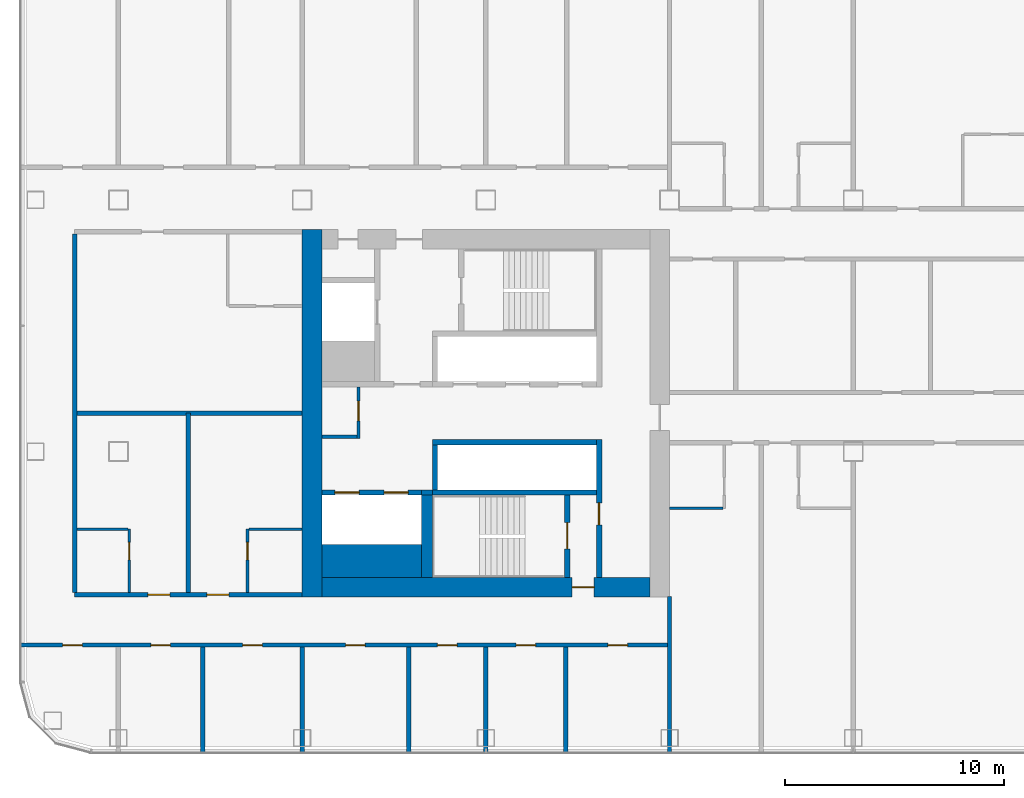
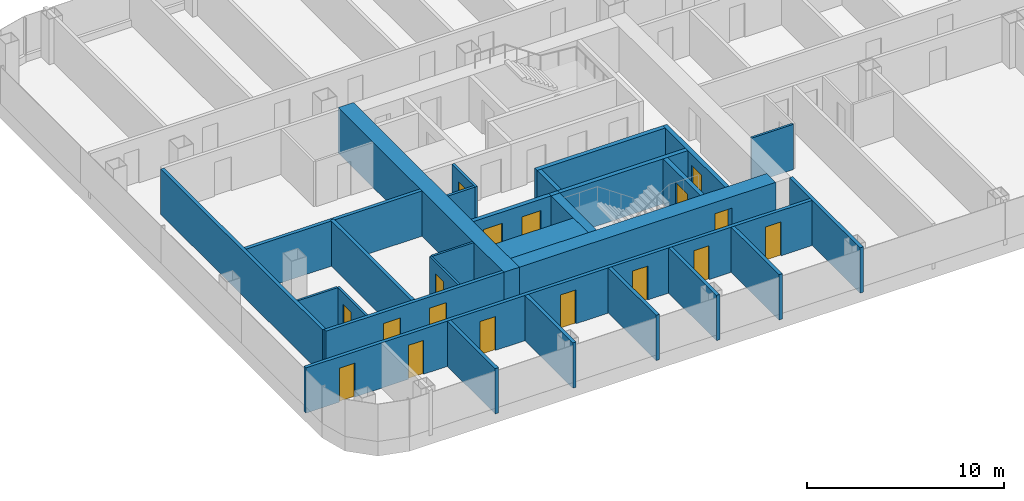
# One storey, part 15 of 29: 29 walls, 17 doors, 17 openings.
"""IFC4 building model written with IfcOpenShell, lengths in metres."""

from ifc_helpers import new_model, si_unit, direction, frame, frame_2d, origin, place, context, subcontext, project, spatial, rectangle, extrude, material, layer, layer_set, type_object, element, fill, save


model = new_model("IFC4")

# Units and contexts
model_context = context("Model", 3, precision=1e-05, world=origin(), true_north=direction((0.0, 1.0)))
body_context = subcontext(model_context, "Body", "Model", "MODEL_VIEW")
ifc_project = project(units=[si_unit("LENGTHUNIT", "METRE"), si_unit("AREAUNIT", "SQUARE_METRE"), si_unit("VOLUMEUNIT", "CUBIC_METRE"), si_unit("PLANEANGLEUNIT", "RADIAN"), si_unit("MASSUNIT", "GRAM", prefix="KILO")], contexts=[model_context])

# Site, building, storey
site_placement = place(None, origin())
site = spatial("IfcSite", under=ifc_project, at=site_placement, CompositionType="ELEMENT")
building_placement = place(site_placement, origin())
building = spatial("IfcBuilding", under=site, at=building_placement, Name="Hakoniwa Tower and Hamabe Station Hall", CompositionType="ELEMENT")
storey_placement = place(building_placement, frame((0.0, 0.0, 85.0)))
storey = spatial("IfcBuildingStorey", under=building, at=storey_placement, Name="L23", CompositionType="ELEMENT", Elevation=85.0)

# Walls
ifc_material_1 = material(Name="Gypsum board partition", Category="gypsum")
ifc_layer_1 = layer(ifc_material_1, 0.125)
ifc_layer_set_1 = layer_set([ifc_layer_1], Name="Bathroom Partition 125")
wall_type_1 = type_object("IfcWallType", Name="Bathroom Partition 125", PredefinedType="PARTITIONING", material=ifc_layer_set_1)
wall_1_placement = place(storey_placement, frame((-43.89990234375, -5.300048828125, 0.0), z_axis=(0.0, 0.0, 1.0), x_axis=(1.0, 0.0, 0.0)))
element("IfcWall", 1, at=wall_1_placement, inside=storey, type_object=wall_type_1, Name="GW-L23-005", PredefinedType="PARTITIONING", context=body_context, shape_type="SweptSolid", body=[
    extrude(rectangle(XDim=2.33740234375, YDim=0.125, at=frame_2d((1.168701171875, 0.0))), origin(), (0.0, 0.0, 1.0), 2.800048828125),
])
wall_2_placement = place(storey_placement, frame((-36.03759765625, -5.300048828125, 0.0), z_axis=(0.0, 0.0, 1.0), x_axis=(1.0, 0.0, 0.0)))
element("IfcWall", 2, at=wall_2_placement, inside=storey, type_object=wall_type_1, Name="GW-L23-006", PredefinedType="PARTITIONING", context=body_context, shape_type="SweptSolid", body=[
    extrude(rectangle(XDim=2.4375, YDim=0.125, at=frame_2d((1.21875, 0.0))), origin(), (0.0, 0.0, 1.0), 2.800048828125),
])
wall_3_placement = place(storey_placement, frame((-16.81005859375, -4.35009765625, 0.0), z_axis=(0.0, 0.0, 1.0), x_axis=(1.0, 0.0, 0.0)))
element("IfcWall", 3, at=wall_3_placement, inside=storey, type_object=wall_type_1, Name="GW-L23-010", PredefinedType="PARTITIONING", context=body_context, shape_type="SweptSolid", body=[
    extrude(rectangle(XDim=2.447509765625, YDim=0.125, at=frame_2d((1.2236328125, 0.0))), origin(), (0.0, 0.0, 1.0), 2.800048828125),
])

# Wall, opening, door
wall_4_placement = place(storey_placement, frame((-41.5, -8.199951171875, 0.0), z_axis=(0.0, 0.0, 1.0), x_axis=(0.0, 1.0, 0.0)))
wall_4 = element("IfcWall", 4, at=wall_4_placement, inside=storey, type_object=wall_type_1, Name="GW-L23-035", PredefinedType="PARTITIONING", context=body_context, shape_type="SweptSolid", body=[
    extrude(rectangle(XDim=2.89990234375, YDim=0.125, at=frame_2d((1.449951171875, 0.0))), origin(), (0.0, 0.0, 1.0), 2.800048828125),
])
opening_1_placement = place(wall_4_placement, frame((1.5, 0.0, 0.0)))
opening_1 = element("IfcOpeningElement", 5, at=opening_1_placement, cuts=wall_4, Name="Opening GD-G2D0-57", PredefinedType="OPENING", context=body_context, shape_type="SweptSolid", body=[
    extrude(rectangle(XDim=0.800048828125, YDim=2.10009765625, at=frame_2d((0.39990234375, 1.050048828125))), frame((0.0, 0.072509765625, 0.0), z_axis=(0.0, -1.0, 0.0), x_axis=(1.0, 0.0, 0.0)), (0.0, 0.0, 1.0), 0.14501953125),
])
ifc_material_2 = material(Name="Timber door leaf", Category="wood")
door_type_1 = type_object("IfcDoorType", Name="Bathroom Door 800", OperationType="SINGLE_SWING_LEFT", PredefinedType="DOOR", material=ifc_material_2)
door_1_placement = place(opening_1_placement, origin())
door_1 = element("IfcDoor", 6, at=door_1_placement, inside=storey, type_object=door_type_1, Name="Door GD-G2D0-57", OperationType="SINGLE_SWING_LEFT", OverallHeight=2.10009765625, OverallWidth=0.800048828125, PredefinedType="DOOR", context=body_context, shape_type="SweptSolid", body=[
    extrude(rectangle(XDim=0.800048828125, YDim=2.10009765625, at=frame_2d((0.39990234375, 1.050048828125))), frame((0.0, 0.02490234375, 0.0), z_axis=(0.0, -1.0, 0.0), x_axis=(1.0, 0.0, 0.0)), (0.0, 0.0, 1.0), 0.050048828125),
])
fill(opening_1, door_1)

wall_5_placement = place(storey_placement, frame((-36.10009765625, -8.199951171875, 0.0), z_axis=(0.0, 0.0, 1.0), x_axis=(0.0, 1.0, 0.0)))
wall_5 = element("IfcWall", 7, at=wall_5_placement, inside=storey, type_object=wall_type_1, Name="GW-L23-040", PredefinedType="PARTITIONING", context=body_context, shape_type="SweptSolid", body=[
    extrude(rectangle(XDim=2.89990234375, YDim=0.125, at=frame_2d((1.449951171875, 0.0))), origin(), (0.0, 0.0, 1.0), 2.800048828125),
])
opening_2_placement = place(wall_5_placement, frame((1.5, 0.0, 0.0)))
opening_2 = element("IfcOpeningElement", 8, at=opening_2_placement, cuts=wall_5, Name="Opening GD-G2D0-58", PredefinedType="OPENING", context=body_context, shape_type="SweptSolid", body=[
    extrude(rectangle(XDim=0.800048828125, YDim=2.10009765625, at=frame_2d((0.39990234375, 1.050048828125))), frame((0.0, 0.072509765625, 0.0), z_axis=(0.0, -1.0, 0.0), x_axis=(1.0, 0.0, 0.0)), (0.0, 0.0, 1.0), 0.14501953125),
])
door_2_placement = place(opening_2_placement, origin())
door_2 = element("IfcDoor", 9, at=door_2_placement, inside=storey, type_object=door_type_1, Name="Door GD-G2D0-58", OperationType="SINGLE_SWING_RIGHT", OverallHeight=2.10009765625, OverallWidth=0.800048828125, PredefinedType="DOOR", context=body_context, shape_type="SweptSolid", body=[
    extrude(rectangle(XDim=0.800048828125, YDim=2.10009765625, at=frame_2d((0.39990234375, 1.050048828125))), frame((0.0, 0.02490234375, 0.0), z_axis=(0.0, -1.0, 0.0), x_axis=(1.0, 0.0, 0.0)), (0.0, 0.0, 1.0), 0.050048828125),
])
fill(opening_2, door_2)

ifc_material_3 = material(Name="Gypsum board partition")
ifc_layer_2 = layer(ifc_material_3, 0.14990234375)
ifc_layer_set_2 = layer_set([ifc_layer_2], Name="CORE PARTITION 150 EI 60")
wall_type_2 = type_object("IfcWallType", Name="CORE PARTITION 150 EI 60", PredefinedType="PARTITIONING", material=ifc_layer_set_2)
wall_6_placement = place(storey_placement, frame((-31.02490234375, -1.14990234375, 0.0), z_axis=(0.0, 0.0, 1.0), x_axis=(0.0, 1.0, 0.0)))
wall_6 = element("IfcWall", 10, at=wall_6_placement, inside=storey, type_object=wall_type_2, Name="Core partition PW0 west", PredefinedType="PARTITIONING", context=body_context, shape_type="SweptSolid", body=[
    extrude(rectangle(XDim=2.349853515625, YDim=0.14990234375, at=frame_2d((1.1748046875, 0.0))), origin(), (0.0, 0.0, 1.0), 2.800048828125),
])
opening_3_placement = place(wall_6_placement, frame((0.800048828125, 0.0, 0.0)))
opening_3 = element("IfcOpeningElement", 11, at=opening_3_placement, cuts=wall_6, Name="Opening CD-W-RM1-9", PredefinedType="OPENING", context=body_context, shape_type="SweptSolid", body=[
    extrude(rectangle(XDim=0.89990234375, YDim=2.10009765625, at=frame_2d((0.449951171875, 1.050048828125))), frame((0.0, 0.0849609375, 0.0), z_axis=(0.0, -1.0, 0.0), x_axis=(1.0, 0.0, 0.0)), (0.0, 0.0, 1.0), 0.169921875),
])
ifc_material_4 = material(Name="Steel fire door", Category="steel")
door_type_2 = type_object("IfcDoorType", Name="CORE DOOR 900 FD30", OperationType="NOTDEFINED", PredefinedType="DOOR", material=ifc_material_4)
door_3_placement = place(opening_3_placement, origin())
door_3 = element("IfcDoor", 12, at=door_3_placement, inside=storey, type_object=door_type_2, Name="Store room door", OperationType="SINGLE_SWING_LEFT", OverallHeight=2.10009765625, OverallWidth=0.89990234375, PredefinedType="DOOR", context=body_context, shape_type="SweptSolid", body=[
    extrude(rectangle(XDim=0.89990234375, YDim=2.10009765625, at=frame_2d((0.449951171875, 1.050048828125))), frame((0.0, 0.02490234375, 0.0), z_axis=(0.0, -1.0, 0.0), x_axis=(1.0, 0.0, 0.0)), (0.0, 0.0, 1.0), 0.050048828125),
])
fill(opening_3, door_3)

# Walls
wall_7_placement = place(storey_placement, frame((-32.699951171875, -1.074951171875, 0.0), z_axis=(0.0, 0.0, 1.0), x_axis=(1.0, 0.0, 0.0)))
element("IfcWall", 13, at=wall_7_placement, inside=storey, type_object=wall_type_2, Name="Core partition PS west", PredefinedType="PARTITIONING", context=body_context, shape_type="SweptSolid", body=[
    extrude(rectangle(XDim=1.599853515625, YDim=0.14990234375, at=frame_2d((0.7998046875, 0.0))), origin(), (0.0, 0.0, 1.0), 2.800048828125),
])
ifc_material_5 = material(Name="Concrete C72", Category="concrete")
ifc_layer_3 = layer(ifc_material_5, 0.89990234375)
ifc_layer_set_3 = layer_set([ifc_layer_3], Name="CORE WALL 900 C72")
wall_type_3 = type_object("IfcWallType", Name="CORE WALL 900 C72", PredefinedType="SHEAR", material=ifc_layer_set_3)
wall_8_placement = place(storey_placement, frame((-33.14990234375, -8.39990234375, 0.0), z_axis=(0.0, 0.0, 1.0), x_axis=(0.0, 1.0, 0.0)))
element("IfcWall", 14, at=wall_8_placement, inside=storey, type_object=wall_type_3, Name="Core wall OUTER west", PredefinedType="SHEAR", context=body_context, shape_type="SweptSolid", body=[
    extrude(rectangle(XDim=16.7998046875, YDim=0.89990234375, at=frame_2d((8.39990234375, 0.0))), origin(), (0.0, 0.0, 1.0), 2.800048828125),
])

# Wall, opening, door
wall_9_placement = place(storey_placement, frame((-32.699951171875, -7.949951171875, 0.0), z_axis=(0.0, 0.0, 1.0), x_axis=(1.0, 0.0, 0.0)))
wall_9 = element("IfcWall", 15, at=wall_9_placement, inside=storey, type_object=wall_type_3, Name="Core wall SOUTH west", PredefinedType="SHEAR", context=body_context, shape_type="SweptSolid", body=[
    extrude(rectangle(XDim=15.0, YDim=0.89990234375, at=frame_2d((7.5, 0.0))), origin(), (0.0, 0.0, 1.0), 2.800048828125),
])
opening_4_placement = place(wall_9_placement, frame((11.449951171875, 0.0, 0.0)))
opening_4 = element("IfcOpeningElement", 16, at=opening_4_placement, cuts=wall_9, Name="Opening CD-W-FS3-10", PredefinedType="OPENING", context=body_context, shape_type="SweptSolid", body=[
    extrude(rectangle(XDim=1.0, YDim=2.10009765625, at=frame_2d((0.5, 1.050048828125))), frame((0.0, 0.4599609375, 0.0), z_axis=(0.0, -1.0, 0.0), x_axis=(1.0, 0.0, 0.0)), (0.0, 0.0, 1.0), 0.919921875),
])
ifc_material_6 = material(Name="Steel fire door", Category="steel")
door_type_3 = type_object("IfcDoorType", Name="CORE DOOR 1000 FD60", OperationType="NOTDEFINED", PredefinedType="DOOR", material=ifc_material_6)
door_4_placement = place(opening_4_placement, origin())
door_4 = element("IfcDoor", 17, at=door_4_placement, inside=storey, type_object=door_type_3, Name="Stair vestibule door", OperationType="SINGLE_SWING_LEFT", OverallHeight=2.10009765625, OverallWidth=1.0, PredefinedType="DOOR", context=body_context, shape_type="SweptSolid", body=[
    extrude(rectangle(XDim=1.0, YDim=2.10009765625, at=frame_2d((0.5, 1.050048828125))), frame((0.0, 0.02490234375, 0.0), z_axis=(0.0, -1.0, 0.0), x_axis=(1.0, 0.0, 0.0)), (0.0, 0.0, 1.0), 0.050048828125),
])
fill(opening_4, door_4)

# Wall
ifc_material_7 = material(Name="Concrete C72", Category="concrete")
ifc_layer_4 = layer(ifc_material_7, 1.5)
ifc_layer_set_4 = layer_set([ifc_layer_4], Name="CORE WEB WALL 1500 C72")
wall_type_4 = type_object("IfcWallType", Name="CORE WEB WALL 1500 C72", PredefinedType="SHEAR", material=ifc_layer_set_4)
wall_10_placement = place(storey_placement, frame((-32.699951171875, -6.75, 0.0), z_axis=(0.0, 0.0, 1.0), x_axis=(1.0, 0.0, 0.0)))
element("IfcWall", 18, at=wall_10_placement, inside=storey, type_object=wall_type_4, Name="Core wall SER west", PredefinedType="SHEAR", context=body_context, shape_type="SweptSolid", body=[
    extrude(rectangle(XDim=4.550048828125, YDim=1.5, at=frame_2d((2.27490234375, 0.0))), origin(), (0.0, 0.0, 1.0), 2.800048828125),
])

# Wall, opening, door
ifc_material_8 = material(Name="Concrete C72", Category="concrete")
ifc_layer_5 = layer(ifc_material_8, 0.25)
ifc_layer_set_5 = layer_set([ifc_layer_5], Name="CORE WEB WALL 250 C72")
wall_type_5 = type_object("IfcWallType", Name="CORE WEB WALL 250 C72", PredefinedType="SHEAR", material=ifc_layer_set_5)
wall_11_placement = place(storey_placement, frame((-20.02490234375, -7.5, 0.0), z_axis=(0.0, 0.0, 1.0), x_axis=(0.0, 1.0, 0.0)))
wall_11 = element("IfcWall", 19, at=wall_11_placement, inside=storey, type_object=wall_type_5, Name="Core wall W1S west", PredefinedType="SHEAR", context=body_context, shape_type="SweptSolid", body=[
    extrude(rectangle(XDim=6.300048828125, YDim=0.25, at=frame_2d((3.14990234375, 0.0))), origin(), (0.0, 0.0, 1.0), 2.800048828125),
])
opening_5_placement = place(wall_11_placement, frame((2.39990234375, 0.0, 0.0)))
opening_5 = element("IfcOpeningElement", 20, at=opening_5_placement, cuts=wall_11, Name="Opening CD-W-VS-10", PredefinedType="OPENING", context=body_context, shape_type="SweptSolid", body=[
    extrude(rectangle(XDim=1.0, YDim=2.10009765625, at=frame_2d((0.5, 1.050048828125))), frame((0.0, 0.135009765625, 0.0), z_axis=(0.0, -1.0, 0.0), x_axis=(1.0, 0.0, 0.0)), (0.0, 0.0, 1.0), 0.27001953125),
])
door_5_placement = place(opening_5_placement, origin())
door_5 = element("IfcDoor", 21, at=door_5_placement, inside=storey, type_object=door_type_3, Name="Stair vestibule door", OperationType="SINGLE_SWING_LEFT", OverallHeight=2.10009765625, OverallWidth=1.0, PredefinedType="DOOR", context=body_context, shape_type="SweptSolid", body=[
    extrude(rectangle(XDim=1.0, YDim=2.10009765625, at=frame_2d((0.5, 1.050048828125))), frame((0.0, 0.02490234375, 0.0), z_axis=(0.0, -1.0, 0.0), x_axis=(1.0, 0.0, 0.0)), (0.0, 0.0, 1.0), 0.050048828125),
])
fill(opening_5, door_5)

# Walls
wall_12_placement = place(storey_placement, frame((-27.64990234375, -1.324951171875, 0.0), z_axis=(0.0, 0.0, 1.0), x_axis=(1.0, 0.0, 0.0)))
element("IfcWall", 22, at=wall_12_placement, inside=storey, type_object=wall_type_5, Name="Core wall SF west", PredefinedType="SHEAR", context=body_context, shape_type="SweptSolid", body=[
    extrude(rectangle(XDim=7.5, YDim=0.25, at=frame_2d((3.75, 0.0))), origin(), (0.0, 0.0, 1.0), 2.800048828125),
])
wall_13_placement = place(storey_placement, frame((-27.52490234375, -3.5, 0.0), z_axis=(0.0, 0.0, 1.0), x_axis=(0.0, 1.0, 0.0)))
element("IfcWall", 23, at=wall_13_placement, inside=storey, type_object=wall_type_5, Name="Core wall SE west", PredefinedType="SHEAR", context=body_context, shape_type="SweptSolid", body=[
    extrude(rectangle(XDim=2.050048828125, YDim=0.25, at=frame_2d((1.02490234375, 0.0))), origin(), (0.0, 0.0, 1.0), 2.800048828125),
])
wall_14_placement = place(storey_placement, frame((-27.64990234375, -3.625, 0.0), z_axis=(0.0, 0.0, 1.0), x_axis=(1.0, 0.0, 0.0)))
element("IfcWall", 24, at=wall_14_placement, inside=storey, type_object=wall_type_5, Name="Core wall SR west", PredefinedType="SHEAR", context=body_context, shape_type="SweptSolid", body=[
    extrude(rectangle(XDim=7.5, YDim=0.25, at=frame_2d((3.75, 0.0))), origin(), (0.0, 0.0, 1.0), 2.800048828125),
])

# Wall, opening, door
wall_15_placement = place(storey_placement, frame((-21.47509765625, -7.5, 0.0), z_axis=(0.0, 0.0, 1.0), x_axis=(0.0, 1.0, 0.0)))
wall_15 = element("IfcWall", 25, at=wall_15_placement, inside=storey, type_object=wall_type_5, Name="Core wall VE west", PredefinedType="SHEAR", context=body_context, shape_type="SweptSolid", body=[
    extrude(rectangle(XDim=3.75, YDim=0.25, at=frame_2d((1.875, 0.0))), origin(), (0.0, 0.0, 1.0), 2.800048828125),
])
opening_6_placement = place(wall_15_placement, frame((1.300048828125, 0.0, 0.0)))
opening_6 = element("IfcOpeningElement", 26, at=opening_6_placement, cuts=wall_15, Name="Opening CD-W-SS-12", PredefinedType="OPENING", context=body_context, shape_type="SweptSolid", body=[
    extrude(rectangle(XDim=1.199951171875, YDim=2.10009765625, at=frame_2d((0.60009765625, 1.050048828125))), frame((0.0, 0.135009765625, 0.0), z_axis=(0.0, -1.0, 0.0), x_axis=(1.0, 0.0, 0.0)), (0.0, 0.0, 1.0), 0.27001953125),
])
ifc_material_9 = material(Name="Steel fire door", Category="steel")
door_type_4 = type_object("IfcDoorType", Name="CORE DOOR 1200 FD60", OperationType="DOUBLE_DOOR_SINGLE_SWING", PredefinedType="DOOR", material=ifc_material_9)
door_6_placement = place(opening_6_placement, origin())
door_6 = element("IfcDoor", 27, at=door_6_placement, inside=storey, type_object=door_type_4, Name="Escape stair door", OperationType="DOUBLE_DOOR_SINGLE_SWING", OverallHeight=2.10009765625, OverallWidth=1.199951171875, PredefinedType="DOOR", context=body_context, shape_type="SweptSolid", body=[
    extrude(rectangle(XDim=1.199951171875, YDim=2.10009765625, at=frame_2d((0.60009765625, 1.050048828125))), frame((0.0, 0.02490234375, 0.0), z_axis=(0.0, -1.0, 0.0), x_axis=(1.0, 0.0, 0.0)), (0.0, 0.0, 1.0), 0.050048828125),
])
fill(opening_6, door_6)

# Wall, openings, doors
wall_16_placement = place(storey_placement, frame((-32.699951171875, -3.625, 0.0), z_axis=(0.0, 0.0, 1.0), x_axis=(1.0, 0.0, 0.0)))
wall_16 = element("IfcWall", 28, at=wall_16_placement, inside=storey, type_object=wall_type_5, Name="Core wall SEF west", PredefinedType="SHEAR", context=body_context, shape_type="SweptSolid", body=[
    extrude(rectangle(XDim=4.550048828125, YDim=0.25, at=frame_2d((2.27490234375, 0.0))), origin(), (0.0, 0.0, 1.0), 2.800048828125),
])
opening_7_placement = place(wall_16_placement, frame((2.85009765625, 0.0, 0.0)))
opening_7 = element("IfcOpeningElement", 29, at=opening_7_placement, cuts=wall_16, Name="Opening LD-SV1", PredefinedType="OPENING", context=body_context, shape_type="SweptSolid", body=[
    extrude(rectangle(XDim=1.10009765625, YDim=2.10009765625, at=frame_2d((0.550048828125, 1.050048828125))), frame((0.0, 0.135009765625, 0.0), z_axis=(0.0, -1.0, 0.0), x_axis=(1.0, 0.0, 0.0)), (0.0, 0.0, 1.0), 0.27001953125),
])
opening_8_placement = place(wall_16_placement, frame((0.60009765625, 0.0, 0.0)))
opening_8 = element("IfcOpeningElement", 30, at=opening_8_placement, cuts=wall_16, Name="Opening LD-SV2", PredefinedType="OPENING", context=body_context, shape_type="SweptSolid", body=[
    extrude(rectangle(XDim=1.10009765625, YDim=2.10009765625, at=frame_2d((0.550048828125, 1.050048828125))), frame((0.0, 0.135009765625, 0.0), z_axis=(0.0, -1.0, 0.0), x_axis=(1.0, 0.0, 0.0)), (0.0, 0.0, 1.0), 0.27001953125),
])
ifc_material_10 = material(Name="Stainless steel SUS304", Category="steel")
door_type_5 = type_object("IfcDoorType", Name="LIFT LANDING DOOR 1100 FD60", OperationType="DOUBLE_DOOR_SLIDING", PredefinedType="DOOR", material=ifc_material_10)
door_7_placement = place(opening_7_placement, origin())
door_7 = element("IfcDoor", 31, at=door_7_placement, inside=storey, type_object=door_type_5, Name="Lift landing door SV1 L23", OperationType="DOUBLE_DOOR_SLIDING", OverallHeight=2.10009765625, OverallWidth=1.10009765625, PredefinedType="DOOR", context=body_context, shape_type="SweptSolid", body=[
    extrude(rectangle(XDim=1.10009765625, YDim=2.10009765625, at=frame_2d((0.550048828125, 1.050048828125))), frame((0.0, 0.02490234375, 0.0), z_axis=(0.0, -1.0, 0.0), x_axis=(1.0, 0.0, 0.0)), (0.0, 0.0, 1.0), 0.050048828125),
])
fill(opening_7, door_7)
door_8_placement = place(opening_8_placement, origin())
door_8 = element("IfcDoor", 32, at=door_8_placement, inside=storey, type_object=door_type_5, Name="Lift landing door SV2 L23", OperationType="DOUBLE_DOOR_SLIDING", OverallHeight=2.10009765625, OverallWidth=1.10009765625, PredefinedType="DOOR", context=body_context, shape_type="SweptSolid", body=[
    extrude(rectangle(XDim=1.10009765625, YDim=2.10009765625, at=frame_2d((0.550048828125, 1.050048828125))), frame((0.0, 0.02490234375, 0.0), z_axis=(0.0, -1.0, 0.0), x_axis=(1.0, 0.0, 0.0)), (0.0, 0.0, 1.0), 0.050048828125),
])
fill(opening_8, door_8)

# Walls
wall_17_placement = place(storey_placement, frame((-28.14990234375, -3.625, 0.0), z_axis=(0.0, 0.0, 1.0), x_axis=(1.0, 0.0, 0.0)))
element("IfcWall", 33, at=wall_17_placement, inside=storey, type_object=wall_type_5, Name="Core wall SRK west", PredefinedType="SHEAR", context=body_context, shape_type="SweptSolid", body=[
    extrude(rectangle(XDim=0.5, YDim=0.25, at=frame_2d((0.25, 0.0))), origin(), (0.0, 0.0, 1.0), 2.800048828125),
])
ifc_material_11 = material(Name="Concrete C72", Category="concrete")
ifc_layer_6 = layer(ifc_material_11, 0.5)
ifc_layer_set_6 = layer_set([ifc_layer_6], Name="CORE WEB WALL 500 C72")
wall_type_6 = type_object("IfcWallType", Name="CORE WEB WALL 500 C72", PredefinedType="SHEAR", material=ifc_layer_set_6)
wall_18_placement = place(storey_placement, frame((-27.89990234375, -7.5, 0.0), z_axis=(0.0, 0.0, 1.0), x_axis=(0.0, 1.0, 0.0)))
element("IfcWall", 34, at=wall_18_placement, inside=storey, type_object=wall_type_6, Name="Core wall SSE west", PredefinedType="SHEAR", context=body_context, shape_type="SweptSolid", body=[
    extrude(rectangle(XDim=3.75, YDim=0.5, at=frame_2d((1.875, 0.0))), origin(), (0.0, 0.0, 1.0), 2.800048828125),
])

# Wall, openings, doors
ifc_material_12 = material(Name="Fire-rated gypsum board partition", Category="gypsum")
ifc_layer_7 = layer(ifc_material_12, 0.199951171875)
ifc_layer_set_7 = layer_set([ifc_layer_7], Name="Corridor Wall 200")
wall_type_7 = type_object("IfcWallType", Name="Corridor Wall 200", PredefinedType="PARTITIONING", material=ifc_layer_set_7)
wall_19_placement = place(storey_placement, frame((-46.5, -10.60009765625, 0.0), z_axis=(0.0, 0.0, 1.0), x_axis=(1.0, 0.0, 0.0)))
wall_19 = element("IfcWall", 35, at=wall_19_placement, inside=storey, type_object=wall_type_7, Name="GW-L23-001", PredefinedType="PARTITIONING", context=body_context, shape_type="SweptSolid", body=[
    extrude(rectangle(XDim=29.699951171875, YDim=0.199951171875, at=frame_2d((14.85009765625, 0.0))), origin(), (0.0, 0.0, 1.0), 2.800048828125),
])
opening_9_placement = place(wall_19_placement, frame((1.949951171875, 0.0, 0.0)))
opening_9 = element("IfcOpeningElement", 36, at=opening_9_placement, cuts=wall_19, Name="Opening GD-G2D0-01", PredefinedType="OPENING", context=body_context, shape_type="SweptSolid", body=[
    extrude(rectangle(XDim=0.89990234375, YDim=2.10009765625, at=frame_2d((0.449951171875, 1.050048828125))), frame((0.0, 0.10986328125, 0.0), z_axis=(0.0, -1.0, 0.0), x_axis=(1.0, 0.0, 0.0)), (0.0, 0.0, 1.0), 0.219970703125),
])
opening_10_placement = place(wall_19_placement, frame((5.97998046875, 0.0, 0.0)))
opening_10 = element("IfcOpeningElement", 37, at=opening_10_placement, cuts=wall_19, Name="Opening GD-G2D0-02", PredefinedType="OPENING", context=body_context, shape_type="SweptSolid", body=[
    extrude(rectangle(XDim=0.89990234375, YDim=2.10009765625, at=frame_2d((0.449951171875, 1.050048828125))), frame((0.0, 0.10986328125, 0.0), z_axis=(0.0, -1.0, 0.0), x_axis=(1.0, 0.0, 0.0)), (0.0, 0.0, 1.0), 0.219970703125),
])
opening_11_placement = place(wall_19_placement, frame((10.179931640625, 0.0, 0.0)))
opening_11 = element("IfcOpeningElement", 38, at=opening_11_placement, cuts=wall_19, Name="Opening GD-G2D0-03", PredefinedType="OPENING", context=body_context, shape_type="SweptSolid", body=[
    extrude(rectangle(XDim=0.89990234375, YDim=2.10009765625, at=frame_2d((0.449951171875, 1.050048828125))), frame((0.0, 0.10986328125, 0.0), z_axis=(0.0, -1.0, 0.0), x_axis=(1.0, 0.0, 0.0)), (0.0, 0.0, 1.0), 0.219970703125),
])
opening_12_placement = place(wall_19_placement, frame((14.885009765625, 0.0, 0.0)))
opening_12 = element("IfcOpeningElement", 39, at=opening_12_placement, cuts=wall_19, Name="Opening GD-G2D0-04", PredefinedType="OPENING", context=body_context, shape_type="SweptSolid", body=[
    extrude(rectangle(XDim=0.89990234375, YDim=2.10009765625, at=frame_2d((0.449951171875, 1.050048828125))), frame((0.0, 0.10986328125, 0.0), z_axis=(0.0, -1.0, 0.0), x_axis=(1.0, 0.0, 0.0)), (0.0, 0.0, 1.0), 0.219970703125),
])
opening_13_placement = place(wall_19_placement, frame((19.0849609375, 0.0, 0.0)))
opening_13 = element("IfcOpeningElement", 40, at=opening_13_placement, cuts=wall_19, Name="Opening GD-G2D0-05", PredefinedType="OPENING", context=body_context, shape_type="SweptSolid", body=[
    extrude(rectangle(XDim=0.89990234375, YDim=2.10009765625, at=frame_2d((0.449951171875, 1.050048828125))), frame((0.0, 0.10986328125, 0.0), z_axis=(0.0, -1.0, 0.0), x_axis=(1.0, 0.0, 0.0)), (0.0, 0.0, 1.0), 0.219970703125),
])
opening_14_placement = place(wall_19_placement, frame((22.679931640625, 0.0, 0.0)))
opening_14 = element("IfcOpeningElement", 41, at=opening_14_placement, cuts=wall_19, Name="Opening GD-G2D0-06", PredefinedType="OPENING", context=body_context, shape_type="SweptSolid", body=[
    extrude(rectangle(XDim=0.89990234375, YDim=2.10009765625, at=frame_2d((0.449951171875, 1.050048828125))), frame((0.0, 0.10986328125, 0.0), z_axis=(0.0, -1.0, 0.0), x_axis=(1.0, 0.0, 0.0)), (0.0, 0.0, 1.0), 0.219970703125),
])
opening_15_placement = place(wall_19_placement, frame((26.8798828125, 0.0, 0.0)))
opening_15 = element("IfcOpeningElement", 42, at=opening_15_placement, cuts=wall_19, Name="Opening GD-G2D0-07", PredefinedType="OPENING", context=body_context, shape_type="SweptSolid", body=[
    extrude(rectangle(XDim=0.89990234375, YDim=2.10009765625, at=frame_2d((0.449951171875, 1.050048828125))), frame((0.0, 0.10986328125, 0.0), z_axis=(0.0, -1.0, 0.0), x_axis=(1.0, 0.0, 0.0)), (0.0, 0.0, 1.0), 0.219970703125),
])
ifc_material_13 = material(Name="Timber door leaf", Category="wood")
door_type_6 = type_object("IfcDoorType", Name="Service Door 900", OperationType="SINGLE_SWING_LEFT", PredefinedType="DOOR", material=ifc_material_13)
door_9_placement = place(opening_9_placement, origin())
door_9 = element("IfcDoor", 43, at=door_9_placement, inside=storey, type_object=door_type_6, Name="Door GD-G2D0-01", OperationType="SINGLE_SWING_RIGHT", OverallHeight=2.10009765625, OverallWidth=0.89990234375, PredefinedType="DOOR", context=body_context, shape_type="SweptSolid", body=[
    extrude(rectangle(XDim=0.89990234375, YDim=2.10009765625, at=frame_2d((0.449951171875, 1.050048828125))), frame((0.0, 0.02490234375, 0.0), z_axis=(0.0, -1.0, 0.0), x_axis=(1.0, 0.0, 0.0)), (0.0, 0.0, 1.0), 0.050048828125),
])
fill(opening_9, door_9)
door_10_placement = place(opening_10_placement, origin())
door_10 = element("IfcDoor", 44, at=door_10_placement, inside=storey, type_object=door_type_6, Name="Door GD-G2D0-02", OperationType="SINGLE_SWING_RIGHT", OverallHeight=2.10009765625, OverallWidth=0.89990234375, PredefinedType="DOOR", context=body_context, shape_type="SweptSolid", body=[
    extrude(rectangle(XDim=0.89990234375, YDim=2.10009765625, at=frame_2d((0.449951171875, 1.050048828125))), frame((0.0, 0.02490234375, 0.0), z_axis=(0.0, -1.0, 0.0), x_axis=(1.0, 0.0, 0.0)), (0.0, 0.0, 1.0), 0.050048828125),
])
fill(opening_10, door_10)
door_11_placement = place(opening_11_placement, origin())
door_11 = element("IfcDoor", 45, at=door_11_placement, inside=storey, type_object=door_type_6, Name="Door GD-G2D0-03", OperationType="SINGLE_SWING_LEFT", OverallHeight=2.10009765625, OverallWidth=0.89990234375, PredefinedType="DOOR", context=body_context, shape_type="SweptSolid", body=[
    extrude(rectangle(XDim=0.89990234375, YDim=2.10009765625, at=frame_2d((0.449951171875, 1.050048828125))), frame((0.0, 0.02490234375, 0.0), z_axis=(0.0, -1.0, 0.0), x_axis=(1.0, 0.0, 0.0)), (0.0, 0.0, 1.0), 0.050048828125),
])
fill(opening_11, door_11)
door_12_placement = place(opening_12_placement, origin())
door_12 = element("IfcDoor", 46, at=door_12_placement, inside=storey, type_object=door_type_6, Name="Door GD-G2D0-04", OperationType="SINGLE_SWING_RIGHT", OverallHeight=2.10009765625, OverallWidth=0.89990234375, PredefinedType="DOOR", context=body_context, shape_type="SweptSolid", body=[
    extrude(rectangle(XDim=0.89990234375, YDim=2.10009765625, at=frame_2d((0.449951171875, 1.050048828125))), frame((0.0, 0.02490234375, 0.0), z_axis=(0.0, -1.0, 0.0), x_axis=(1.0, 0.0, 0.0)), (0.0, 0.0, 1.0), 0.050048828125),
])
fill(opening_12, door_12)
door_13_placement = place(opening_13_placement, origin())
door_13 = element("IfcDoor", 47, at=door_13_placement, inside=storey, type_object=door_type_6, Name="Door GD-G2D0-05", OperationType="SINGLE_SWING_LEFT", OverallHeight=2.10009765625, OverallWidth=0.89990234375, PredefinedType="DOOR", context=body_context, shape_type="SweptSolid", body=[
    extrude(rectangle(XDim=0.89990234375, YDim=2.10009765625, at=frame_2d((0.449951171875, 1.050048828125))), frame((0.0, 0.02490234375, 0.0), z_axis=(0.0, -1.0, 0.0), x_axis=(1.0, 0.0, 0.0)), (0.0, 0.0, 1.0), 0.050048828125),
])
fill(opening_13, door_13)
door_14_placement = place(opening_14_placement, origin())
door_14 = element("IfcDoor", 48, at=door_14_placement, inside=storey, type_object=door_type_6, Name="Door GD-G2D0-06", OperationType="SINGLE_SWING_RIGHT", OverallHeight=2.10009765625, OverallWidth=0.89990234375, PredefinedType="DOOR", context=body_context, shape_type="SweptSolid", body=[
    extrude(rectangle(XDim=0.89990234375, YDim=2.10009765625, at=frame_2d((0.449951171875, 1.050048828125))), frame((0.0, 0.02490234375, 0.0), z_axis=(0.0, -1.0, 0.0), x_axis=(1.0, 0.0, 0.0)), (0.0, 0.0, 1.0), 0.050048828125),
])
fill(opening_14, door_14)
door_15_placement = place(opening_15_placement, origin())
door_15 = element("IfcDoor", 49, at=door_15_placement, inside=storey, type_object=door_type_6, Name="Door GD-G2D0-07", OperationType="SINGLE_SWING_LEFT", OverallHeight=2.10009765625, OverallWidth=0.89990234375, PredefinedType="DOOR", context=body_context, shape_type="SweptSolid", body=[
    extrude(rectangle(XDim=0.89990234375, YDim=2.10009765625, at=frame_2d((0.449951171875, 1.050048828125))), frame((0.0, 0.02490234375, 0.0), z_axis=(0.0, -1.0, 0.0), x_axis=(1.0, 0.0, 0.0)), (0.0, 0.0, 1.0), 0.050048828125),
])
fill(opening_15, door_15)

wall_20_placement = place(storey_placement, frame((-44.0, -8.300048828125, 0.0), z_axis=(0.0, 0.0, 1.0), x_axis=(1.0, 0.0, 0.0)))
wall_20 = element("IfcWall", 50, at=wall_20_placement, inside=storey, type_object=wall_type_7, Name="GW-L23-003", PredefinedType="PARTITIONING", context=body_context, shape_type="SweptSolid", body=[
    extrude(rectangle(XDim=10.39990234375, YDim=0.199951171875, at=frame_2d((5.199951171875, 0.0))), origin(), (0.0, 0.0, 1.0), 2.800048828125),
])
opening_16_placement = place(wall_20_placement, frame((3.35009765625, 0.0, 0.0)))
opening_16 = element("IfcOpeningElement", 51, at=opening_16_placement, cuts=wall_20, Name="Opening GD-G2D0-15", PredefinedType="OPENING", context=body_context, shape_type="SweptSolid", body=[
    extrude(rectangle(XDim=1.0, YDim=2.10009765625, at=frame_2d((0.5, 1.050048828125))), frame((0.0, 0.10986328125, 0.0), z_axis=(0.0, -1.0, 0.0), x_axis=(1.0, 0.0, 0.0)), (0.0, 0.0, 1.0), 0.219970703125),
])
opening_17_placement = place(wall_20_placement, frame((6.050048828125, 0.0, 0.0)))
opening_17 = element("IfcOpeningElement", 52, at=opening_17_placement, cuts=wall_20, Name="Opening GD-G2D0-16", PredefinedType="OPENING", context=body_context, shape_type="SweptSolid", body=[
    extrude(rectangle(XDim=1.0, YDim=2.10009765625, at=frame_2d((0.5, 1.050048828125))), frame((0.0, 0.10986328125, 0.0), z_axis=(0.0, -1.0, 0.0), x_axis=(1.0, 0.0, 0.0)), (0.0, 0.0, 1.0), 0.219970703125),
])
ifc_material_14 = material(Name="Timber door leaf", Category="wood")
door_type_7 = type_object("IfcDoorType", Name="Guest Entrance Door 1000", OperationType="SINGLE_SWING_LEFT", PredefinedType="DOOR", material=ifc_material_14)
door_16_placement = place(opening_16_placement, origin())
door_16 = element("IfcDoor", 53, at=door_16_placement, inside=storey, type_object=door_type_7, Name="Door GD-G2D0-15", OperationType="SINGLE_SWING_LEFT", OverallHeight=2.10009765625, OverallWidth=1.0, PredefinedType="DOOR", context=body_context, shape_type="SweptSolid", body=[
    extrude(rectangle(XDim=1.0, YDim=2.10009765625, at=frame_2d((0.5, 1.050048828125))), frame((0.0, 0.02490234375, 0.0), z_axis=(0.0, -1.0, 0.0), x_axis=(1.0, 0.0, 0.0)), (0.0, 0.0, 1.0), 0.050048828125),
])
fill(opening_16, door_16)
door_17_placement = place(opening_17_placement, origin())
door_17 = element("IfcDoor", 54, at=door_17_placement, inside=storey, type_object=door_type_7, Name="Door GD-G2D0-16", OperationType="SINGLE_SWING_RIGHT", OverallHeight=2.10009765625, OverallWidth=1.0, PredefinedType="DOOR", context=body_context, shape_type="SweptSolid", body=[
    extrude(rectangle(XDim=1.0, YDim=2.10009765625, at=frame_2d((0.5, 1.050048828125))), frame((0.0, 0.02490234375, 0.0), z_axis=(0.0, -1.0, 0.0), x_axis=(1.0, 0.0, 0.0)), (0.0, 0.0, 1.0), 0.050048828125),
])
fill(opening_17, door_17)

# Walls
ifc_material_15 = material(Name="Fire-rated gypsum board partition", Category="gypsum")
ifc_layer_8 = layer(ifc_material_15, 0.199951171875)
ifc_layer_set_8 = layer_set([ifc_layer_8], Name="Party Wall 200")
wall_type_8 = type_object("IfcWallType", Name="Party Wall 200", PredefinedType="PARTITIONING", material=ifc_layer_set_8)
wall_21_placement = place(storey_placement, frame((-43.89990234375, 0.0, 0.0), z_axis=(0.0, 0.0, 1.0), x_axis=(1.0, 0.0, 0.0)))
element("IfcWall", 55, at=wall_21_placement, inside=storey, type_object=wall_type_8, Name="GW-L23-015", PredefinedType="PARTITIONING", context=body_context, shape_type="SweptSolid", body=[
    extrude(rectangle(XDim=10.2998046875, YDim=0.199951171875, at=frame_2d((5.14990234375, 0.0))), origin(), (0.0, 0.0, 1.0), 2.800048828125),
])
wall_22_placement = place(storey_placement, frame((-44.0, -8.199951171875, 0.0), z_axis=(0.0, 0.0, 1.0), x_axis=(0.0, 1.0, 0.0)))
element("IfcWall", 56, at=wall_22_placement, inside=storey, type_object=wall_type_8, Name="GW-L23-032", PredefinedType="PARTITIONING", context=body_context, shape_type="SweptSolid", body=[
    extrude(rectangle(XDim=16.39990234375, YDim=0.199951171875, at=frame_2d((8.199951171875, 0.0))), origin(), (0.0, 0.0, 1.0), 2.800048828125),
])
wall_23_placement = place(storey_placement, frame((-38.800048828125, -8.199951171875, 0.0), z_axis=(0.0, 0.0, 1.0), x_axis=(0.0, 1.0, 0.0)))
element("IfcWall", 57, at=wall_23_placement, inside=storey, type_object=wall_type_8, Name="GW-L23-036", PredefinedType="PARTITIONING", context=body_context, shape_type="SweptSolid", body=[
    extrude(rectangle(XDim=8.199951171875, YDim=0.199951171875, at=frame_2d((4.10009765625, 0.0))), origin(), (0.0, 0.0, 1.0), 2.800048828125),
])
for number, where, z_axis, x_axis, name in (
    (58, (-38.139892578125, -15.550048828125, 0.0), (0.0, 0.0, 1.0), (0.0, 1.0, 0.0), "GW-L23-037"),
    (59, (-33.60009765625, -15.550048828125, 0.0), (0.0, 0.0, 1.0), (0.0, 1.0, 0.0), "GW-L23-041"),
    (60, (-28.72998046875, -15.550048828125, 0.0), (0.0, 0.0, 1.0), (0.0, 1.0, 0.0), "GW-L23-043"),
    (61, (-25.199951171875, -15.550048828125, 0.0), (0.0, 0.0, 1.0), (0.0, 1.0, 0.0), "GW-L23-045"),
    (62, (-21.5400390625, -15.550048828125, 0.0), (0.0, 0.0, 1.0), (0.0, 1.0, 0.0), "GW-L23-047"),
):
    element("IfcWall", number, at=place(storey_placement, frame(where, z_axis=z_axis, x_axis=x_axis)), inside=storey, type_object=wall_type_8, Name=name, PredefinedType="PARTITIONING", context=body_context, shape_type="SweptSolid", body=[
        extrude(rectangle(XDim=4.85009765625, YDim=0.199951171875, at=frame_2d((2.425048828125, 0.0))), origin(), (0.0, 0.0, 1.0), 2.800048828125),
    ])
wall_24_placement = place(storey_placement, frame((-16.800048828125, -15.550048828125, 0.0), z_axis=(0.0, 0.0, 1.0), x_axis=(0.0, 1.0, 0.0)))
element("IfcWall", 63, at=wall_24_placement, inside=storey, type_object=wall_type_8, Name="GW-L23-049", PredefinedType="PARTITIONING", context=body_context, shape_type="SweptSolid", body=[
    extrude(rectangle(XDim=7.16015625, YDim=0.199951171875, at=frame_2d((3.580078125, 0.0))), origin(), (0.0, 0.0, 1.0), 2.800048828125),
])

save(model, "model.ifc")
